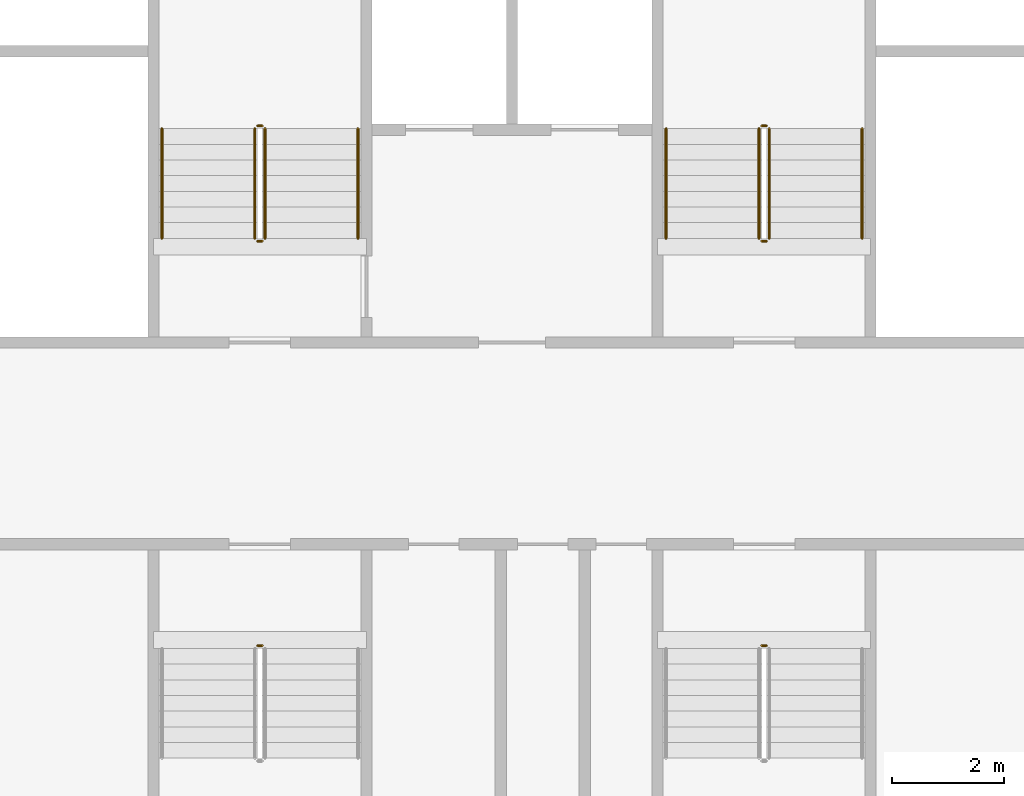
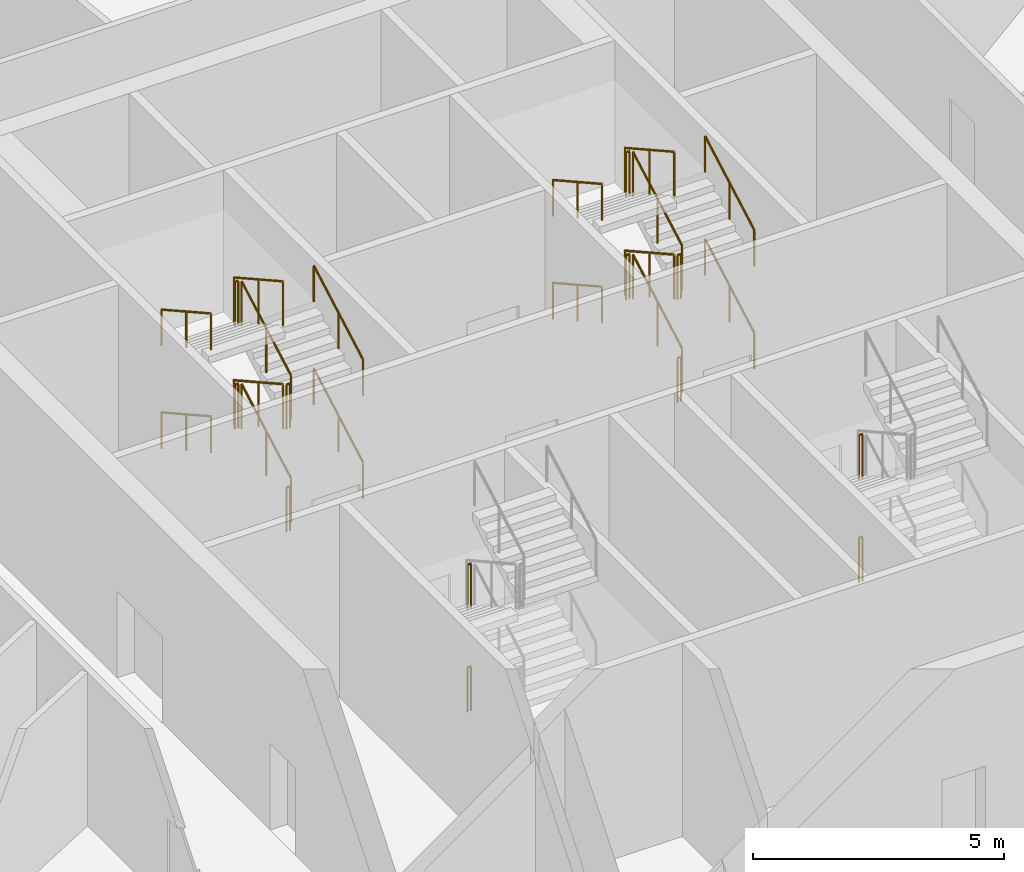
# One storey, part 16 of 21: 28 railings.
"""IFC4 building model written with IfcOpenShell, lengths in metres."""

from ifc_helpers import new_model, si_unit, direction, frame, origin, origin_2d, place, context, subcontext, project, spatial, circle, extrude, material, type_object, element, save


model = new_model("IFC4")

# Units and contexts
model_context = context("Model", 3, precision=1e-05, world=origin(), true_north=direction((0.0, 1.0)))
body_context = subcontext(model_context, "Body", "Model", "MODEL_VIEW")
ifc_project = project(units=[si_unit("LENGTHUNIT", "METRE"), si_unit("AREAUNIT", "SQUARE_METRE"), si_unit("VOLUMEUNIT", "CUBIC_METRE"), si_unit("PLANEANGLEUNIT", "RADIAN"), si_unit("MASSUNIT", "GRAM", prefix="KILO")], contexts=[model_context])

# Site, building, storey
site_placement = place(None, origin())
site = spatial("IfcSite", under=ifc_project, at=site_placement, CompositionType="ELEMENT")
building_placement = place(site_placement, origin())
building = spatial("IfcBuilding", under=site, at=building_placement, Name="Tarsis Ring Headquarters", CompositionType="ELEMENT")
storey_placement = place(building_placement, frame((0.0, 0.0, 398.60009765625)))
storey = spatial("IfcBuildingStorey", under=building, at=storey_placement, Name="L94", CompositionType="ELEMENT", Elevation=398.60009765625)

# Railings
ifc_material = material(Name="Steel S355", Category="steel")
railing_type_1 = type_object("IfcRailingType", Name="Core stair guard 1100", PredefinedType="GUARDRAIL", material=ifc_material)
railing_1_placement = place(storey_placement, frame((-4.409912109375, 3.659912109375, 0.15625)))
element("IfcRailing", 1, at=railing_1_placement, inside=storey, type_object=railing_type_1, Name="L94 ST1 stair guard 1", PredefinedType="GUARDRAIL", context=body_context, shape_type="SweptSolid", body=[
    extrude(circle(Radius=0.02392578125, at=origin_2d()), frame((0.0, 0.0, 1.076171875), z_axis=(0.0, 0.873257974695, 0.487258155017), x_axis=(-1.0, 0.0, 0.0)), (0.0, 0.0, 1.0), 2.24462890625),
    extrude(circle(Radius=0.02099609375, at=origin_2d()), origin(), (0.0, 0.0, 1.0), 1.052001953125),
    extrude(circle(Radius=0.02099609375, at=origin_2d()), frame((0.0, 0.97998046875, 0.546875)), (0.0, 0.0, 1.0), 1.052001953125),
    extrude(circle(Radius=0.02099609375, at=origin_2d()), frame((0.0, 1.960205078125, 1.09375)), (0.0, 0.0, 1.0), 1.052001953125),
])
railing_2_placement = place(storey_placement, frame((-4.4599609375, 5.669921875, 1.25)))
element("IfcRailing", 2, at=railing_2_placement, inside=storey, type_object=railing_type_1, Name="L94 ST1 stair guard 2", PredefinedType="GUARDRAIL", context=body_context, shape_type="SweptSolid", body=[
    extrude(circle(Radius=0.02392578125, at=origin_2d()), frame((0.0, 0.0, 1.076171875), z_axis=(-1.0, 0.0, 0.0), x_axis=(0.0, -1.0, 0.0)), (0.0, 0.0, 1.0), 0.080078125),
    extrude(circle(Radius=0.02099609375, at=origin_2d()), origin(), (0.0, 0.0, 1.0), 1.052001953125),
    extrude(circle(Radius=0.02099609375, at=origin_2d()), frame((-0.080078125, 0.0, 0.0)), (0.0, 0.0, 1.0), 1.052001953125),
])
railing_3_placement = place(storey_placement, frame((-4.590087890625, 5.6201171875, 1.40625)))
element("IfcRailing", 3, at=railing_3_placement, inside=storey, type_object=railing_type_1, Name="L94 ST1 stair guard 3", PredefinedType="GUARDRAIL", context=body_context, shape_type="SweptSolid", body=[
    extrude(circle(Radius=0.02392578125, at=origin_2d()), frame((0.0, 0.0, 1.076171875), z_axis=(0.0, -0.873257974695, 0.487258155017), x_axis=(1.0, 0.0, 0.0)), (0.0, 0.0, 1.0), 2.24462890625),
    extrude(circle(Radius=0.02099609375, at=origin_2d()), origin(), (0.0, 0.0, 1.0), 1.052001953125),
    extrude(circle(Radius=0.02099609375, at=origin_2d()), frame((0.0, -0.97998046875, 0.546875)), (0.0, 0.0, 1.0), 1.052001953125),
    extrude(circle(Radius=0.02099609375, at=origin_2d()), frame((0.0, -1.960205078125, 1.09375)), (0.0, 0.0, 1.0), 1.052001953125),
])
railing_4_placement = place(storey_placement, frame((-4.4599609375, 3.610107421875, 2.5)))
element("IfcRailing", 4, at=railing_4_placement, inside=storey, type_object=railing_type_1, Name="L94 ST1 stair guard 4", PredefinedType="GUARDRAIL", context=body_context, shape_type="SweptSolid", body=[
    extrude(circle(Radius=0.02392578125, at=origin_2d()), frame((0.0, 0.0, 1.076171875), z_axis=(-1.0, 0.0, 0.0), x_axis=(0.0, -1.0, 0.0)), (0.0, 0.0, 1.0), 0.080078125),
    extrude(circle(Radius=0.02099609375, at=origin_2d()), origin(), (0.0, 0.0, 1.0), 1.052001953125),
    extrude(circle(Radius=0.02099609375, at=origin_2d()), frame((-0.080078125, 0.0, 0.0)), (0.0, 0.0, 1.0), 1.052001953125),
])
railing_5_placement = place(storey_placement, frame((-4.409912109375, 3.659912109375, 2.65625)))
element("IfcRailing", 5, at=railing_5_placement, inside=storey, type_object=railing_type_1, Name="L94 ST1 stair guard 5", PredefinedType="GUARDRAIL", context=body_context, shape_type="SweptSolid", body=[
    extrude(circle(Radius=0.02392578125, at=origin_2d()), frame((0.0, 0.0, 1.076171875), z_axis=(0.0, 0.873257974695, 0.487258155017), x_axis=(-1.0, 0.0, 0.0)), (0.0, 0.0, 1.0), 2.24462890625),
    extrude(circle(Radius=0.02099609375, at=origin_2d()), origin(), (0.0, 0.0, 1.0), 1.052001953125),
    extrude(circle(Radius=0.02099609375, at=origin_2d()), frame((0.0, 0.97998046875, 0.546875)), (0.0, 0.0, 1.0), 1.052001953125),
    extrude(circle(Radius=0.02099609375, at=origin_2d()), frame((0.0, 1.960205078125, 1.09375)), (0.0, 0.0, 1.0), 1.052001953125),
])
railing_6_placement = place(storey_placement, frame((-4.4599609375, 5.669921875, 3.75)))
element("IfcRailing", 6, at=railing_6_placement, inside=storey, type_object=railing_type_1, Name="L94 ST1 stair guard 6", PredefinedType="GUARDRAIL", context=body_context, shape_type="SweptSolid", body=[
    extrude(circle(Radius=0.02392578125, at=origin_2d()), frame((0.0, 0.0, 1.076171875), z_axis=(-1.0, 0.0, 0.0), x_axis=(0.0, -1.0, 0.0)), (0.0, 0.0, 1.0), 0.080078125),
    extrude(circle(Radius=0.02099609375, at=origin_2d()), origin(), (0.0, 0.0, 1.0), 1.052001953125),
    extrude(circle(Radius=0.02099609375, at=origin_2d()), frame((-0.080078125, 0.0, 0.0)), (0.0, 0.0, 1.0), 1.052001953125),
])
railing_7_placement = place(storey_placement, frame((-4.590087890625, 5.6201171875, 3.90625)))
element("IfcRailing", 7, at=railing_7_placement, inside=storey, type_object=railing_type_1, Name="L94 ST1 stair guard 7", PredefinedType="GUARDRAIL", context=body_context, shape_type="SweptSolid", body=[
    extrude(circle(Radius=0.02392578125, at=origin_2d()), frame((0.0, 0.0, 1.076171875), z_axis=(0.0, -0.873257974695, 0.487258155017), x_axis=(1.0, 0.0, 0.0)), (0.0, 0.0, 1.0), 2.24462890625),
    extrude(circle(Radius=0.02099609375, at=origin_2d()), origin(), (0.0, 0.0, 1.0), 1.052001953125),
    extrude(circle(Radius=0.02099609375, at=origin_2d()), frame((0.0, -0.97998046875, 0.546875)), (0.0, 0.0, 1.0), 1.052001953125),
    extrude(circle(Radius=0.02099609375, at=origin_2d()), frame((0.0, -1.960205078125, 1.09375)), (0.0, 0.0, 1.0), 1.052001953125),
])
railing_8_placement = place(storey_placement, frame((-4.4599609375, 3.610107421875, 0.0)))
element("IfcRailing", 8, at=railing_8_placement, inside=storey, type_object=railing_type_1, Name="L94 ST1 stair guard 8", PredefinedType="GUARDRAIL", context=body_context, shape_type="SweptSolid", body=[
    extrude(circle(Radius=0.02392578125, at=origin_2d()), frame((0.0, 0.0, 1.076171875), z_axis=(-1.0, 0.0, 0.0), x_axis=(0.0, -1.0, 0.0)), (0.0, 0.0, 1.0), 0.080078125),
    extrude(circle(Radius=0.02099609375, at=origin_2d()), origin(), (0.0, 0.0, 1.0), 1.052001953125),
    extrude(circle(Radius=0.02099609375, at=origin_2d()), frame((-0.080078125, 0.0, 0.0)), (0.0, 0.0, 1.0), 1.052001953125),
])
railing_9_placement = place(storey_placement, frame((4.590087890625, 3.659912109375, 0.15625)))
element("IfcRailing", 9, at=railing_9_placement, inside=storey, type_object=railing_type_1, Name="L94 ST2 stair guard 1", PredefinedType="GUARDRAIL", context=body_context, shape_type="SweptSolid", body=[
    extrude(circle(Radius=0.02392578125, at=origin_2d()), frame((0.0, 0.0, 1.076171875), z_axis=(0.0, 0.873257974695, 0.487258155017), x_axis=(-1.0, 0.0, 0.0)), (0.0, 0.0, 1.0), 2.24462890625),
    extrude(circle(Radius=0.02099609375, at=origin_2d()), origin(), (0.0, 0.0, 1.0), 1.052001953125),
    extrude(circle(Radius=0.02099609375, at=origin_2d()), frame((0.0, 0.97998046875, 0.546875)), (0.0, 0.0, 1.0), 1.052001953125),
    extrude(circle(Radius=0.02099609375, at=origin_2d()), frame((0.0, 1.960205078125, 1.09375)), (0.0, 0.0, 1.0), 1.052001953125),
])
railing_10_placement = place(storey_placement, frame((4.5400390625, 5.669921875, 1.25)))
element("IfcRailing", 10, at=railing_10_placement, inside=storey, type_object=railing_type_1, Name="L94 ST2 stair guard 2", PredefinedType="GUARDRAIL", context=body_context, shape_type="SweptSolid", body=[
    extrude(circle(Radius=0.02392578125, at=origin_2d()), frame((0.0, 0.0, 1.076171875), z_axis=(-1.0, 0.0, 0.0), x_axis=(0.0, -1.0, 0.0)), (0.0, 0.0, 1.0), 0.080078125),
    extrude(circle(Radius=0.02099609375, at=origin_2d()), origin(), (0.0, 0.0, 1.0), 1.052001953125),
    extrude(circle(Radius=0.02099609375, at=origin_2d()), frame((-0.080078125, 0.0, 0.0)), (0.0, 0.0, 1.0), 1.052001953125),
])
railing_11_placement = place(storey_placement, frame((4.409912109375, 5.6201171875, 1.40625)))
element("IfcRailing", 11, at=railing_11_placement, inside=storey, type_object=railing_type_1, Name="L94 ST2 stair guard 3", PredefinedType="GUARDRAIL", context=body_context, shape_type="SweptSolid", body=[
    extrude(circle(Radius=0.02392578125, at=origin_2d()), frame((0.0, 0.0, 1.076171875), z_axis=(0.0, -0.873257974695, 0.487258155017), x_axis=(1.0, 0.0, 0.0)), (0.0, 0.0, 1.0), 2.24462890625),
    extrude(circle(Radius=0.02099609375, at=origin_2d()), origin(), (0.0, 0.0, 1.0), 1.052001953125),
    extrude(circle(Radius=0.02099609375, at=origin_2d()), frame((0.0, -0.97998046875, 0.546875)), (0.0, 0.0, 1.0), 1.052001953125),
    extrude(circle(Radius=0.02099609375, at=origin_2d()), frame((0.0, -1.960205078125, 1.09375)), (0.0, 0.0, 1.0), 1.052001953125),
])
railing_12_placement = place(storey_placement, frame((4.5400390625, 3.610107421875, 2.5)))
element("IfcRailing", 12, at=railing_12_placement, inside=storey, type_object=railing_type_1, Name="L94 ST2 stair guard 4", PredefinedType="GUARDRAIL", context=body_context, shape_type="SweptSolid", body=[
    extrude(circle(Radius=0.02392578125, at=origin_2d()), frame((0.0, 0.0, 1.076171875), z_axis=(-1.0, 0.0, 0.0), x_axis=(0.0, -1.0, 0.0)), (0.0, 0.0, 1.0), 0.080078125),
    extrude(circle(Radius=0.02099609375, at=origin_2d()), origin(), (0.0, 0.0, 1.0), 1.052001953125),
    extrude(circle(Radius=0.02099609375, at=origin_2d()), frame((-0.080078125, 0.0, 0.0)), (0.0, 0.0, 1.0), 1.052001953125),
])
railing_13_placement = place(storey_placement, frame((4.590087890625, 3.659912109375, 2.65625)))
element("IfcRailing", 13, at=railing_13_placement, inside=storey, type_object=railing_type_1, Name="L94 ST2 stair guard 5", PredefinedType="GUARDRAIL", context=body_context, shape_type="SweptSolid", body=[
    extrude(circle(Radius=0.02392578125, at=origin_2d()), frame((0.0, 0.0, 1.076171875), z_axis=(0.0, 0.873257974695, 0.487258155017), x_axis=(-1.0, 0.0, 0.0)), (0.0, 0.0, 1.0), 2.24462890625),
    extrude(circle(Radius=0.02099609375, at=origin_2d()), origin(), (0.0, 0.0, 1.0), 1.052001953125),
    extrude(circle(Radius=0.02099609375, at=origin_2d()), frame((0.0, 0.97998046875, 0.546875)), (0.0, 0.0, 1.0), 1.052001953125),
    extrude(circle(Radius=0.02099609375, at=origin_2d()), frame((0.0, 1.960205078125, 1.09375)), (0.0, 0.0, 1.0), 1.052001953125),
])
railing_14_placement = place(storey_placement, frame((4.5400390625, 5.669921875, 3.75)))
element("IfcRailing", 14, at=railing_14_placement, inside=storey, type_object=railing_type_1, Name="L94 ST2 stair guard 6", PredefinedType="GUARDRAIL", context=body_context, shape_type="SweptSolid", body=[
    extrude(circle(Radius=0.02392578125, at=origin_2d()), frame((0.0, 0.0, 1.076171875), z_axis=(-1.0, 0.0, 0.0), x_axis=(0.0, -1.0, 0.0)), (0.0, 0.0, 1.0), 0.080078125),
    extrude(circle(Radius=0.02099609375, at=origin_2d()), origin(), (0.0, 0.0, 1.0), 1.052001953125),
    extrude(circle(Radius=0.02099609375, at=origin_2d()), frame((-0.080078125, 0.0, 0.0)), (0.0, 0.0, 1.0), 1.052001953125),
])
railing_15_placement = place(storey_placement, frame((4.409912109375, 5.6201171875, 3.90625)))
element("IfcRailing", 15, at=railing_15_placement, inside=storey, type_object=railing_type_1, Name="L94 ST2 stair guard 7", PredefinedType="GUARDRAIL", context=body_context, shape_type="SweptSolid", body=[
    extrude(circle(Radius=0.02392578125, at=origin_2d()), frame((0.0, 0.0, 1.076171875), z_axis=(0.0, -0.873257974695, 0.487258155017), x_axis=(1.0, 0.0, 0.0)), (0.0, 0.0, 1.0), 2.24462890625),
    extrude(circle(Radius=0.02099609375, at=origin_2d()), origin(), (0.0, 0.0, 1.0), 1.052001953125),
    extrude(circle(Radius=0.02099609375, at=origin_2d()), frame((0.0, -0.97998046875, 0.546875)), (0.0, 0.0, 1.0), 1.052001953125),
    extrude(circle(Radius=0.02099609375, at=origin_2d()), frame((0.0, -1.960205078125, 1.09375)), (0.0, 0.0, 1.0), 1.052001953125),
])
railing_16_placement = place(storey_placement, frame((4.5400390625, 3.610107421875, 0.0)))
element("IfcRailing", 16, at=railing_16_placement, inside=storey, type_object=railing_type_1, Name="L94 ST2 stair guard 8", PredefinedType="GUARDRAIL", context=body_context, shape_type="SweptSolid", body=[
    extrude(circle(Radius=0.02392578125, at=origin_2d()), frame((0.0, 0.0, 1.076171875), z_axis=(-1.0, 0.0, 0.0), x_axis=(0.0, -1.0, 0.0)), (0.0, 0.0, 1.0), 0.080078125),
    extrude(circle(Radius=0.02099609375, at=origin_2d()), origin(), (0.0, 0.0, 1.0), 1.052001953125),
    extrude(circle(Radius=0.02099609375, at=origin_2d()), frame((-0.080078125, 0.0, 0.0)), (0.0, 0.0, 1.0), 1.052001953125),
])
for number, where, name in (
    (17, (-4.5400390625, -3.610107421875, 2.5), "L94 ST3 stair guard 4"),
    (18, (-4.5400390625, -3.610107421875, 0.0), "L94 ST3 stair guard 8"),
    (19, (4.4599609375, -3.610107421875, 2.5), "L94 ST4 stair guard 4"),
    (20, (4.4599609375, -3.610107421875, 0.0), "L94 ST4 stair guard 8"),
):
    element("IfcRailing", number, at=place(storey_placement, frame(where)), inside=storey, type_object=railing_type_1, Name=name, PredefinedType="GUARDRAIL", context=body_context, shape_type="SweptSolid", body=[
        extrude(circle(Radius=0.02392578125, at=origin_2d()), frame((0.0, 0.0, 1.076171875), z_axis=(1.0, 0.0, 0.0), x_axis=(0.0, 1.0, 0.0)), (0.0, 0.0, 1.0), 0.080078125),
        extrude(circle(Radius=0.02099609375, at=origin_2d()), origin(), (0.0, 0.0, 1.0), 1.052001953125),
        extrude(circle(Radius=0.02099609375, at=origin_2d()), frame((0.080078125, 0.0, 0.0)), (0.0, 0.0, 1.0), 1.052001953125),
    ])
railing_type_2 = type_object("IfcRailingType", Name="Core stair handrail 900", PredefinedType="HANDRAIL", material=ifc_material)
railing_17_placement = place(storey_placement, frame((-2.75, 3.659912109375, 0.15625)))
element("IfcRailing", 21, at=railing_17_placement, inside=storey, type_object=railing_type_2, Name="L94 ST1 stair handrail 1", PredefinedType="HANDRAIL", context=body_context, shape_type="SweptSolid", body=[
    extrude(circle(Radius=0.02392578125, at=origin_2d()), frame((0.0, 0.0, 0.8759765625), z_axis=(0.0, 0.873257974695, 0.487258155017), x_axis=(-1.0, 0.0, 0.0)), (0.0, 0.0, 1.0), 2.24462890625),
    extrude(circle(Radius=0.02099609375, at=origin_2d()), origin(), (0.0, 0.0, 1.0), 0.851806640625),
    extrude(circle(Radius=0.02099609375, at=origin_2d()), frame((0.0, 0.97998046875, 0.546875)), (0.0, 0.0, 1.0), 0.851806640625),
    extrude(circle(Radius=0.02099609375, at=origin_2d()), frame((0.0, 1.960205078125, 1.09375)), (0.0, 0.0, 1.0), 0.851806640625),
])
railing_18_placement = place(storey_placement, frame((-6.25, 5.6201171875, 1.40625)))
element("IfcRailing", 22, at=railing_18_placement, inside=storey, type_object=railing_type_2, Name="L94 ST1 stair handrail 2", PredefinedType="HANDRAIL", context=body_context, shape_type="SweptSolid", body=[
    extrude(circle(Radius=0.02392578125, at=origin_2d()), frame((0.0, 0.0, 0.8759765625), z_axis=(0.0, -0.873257974695, 0.487258155017), x_axis=(1.0, 0.0, 0.0)), (0.0, 0.0, 1.0), 2.24462890625),
    extrude(circle(Radius=0.02099609375, at=origin_2d()), origin(), (0.0, 0.0, 1.0), 0.851806640625),
    extrude(circle(Radius=0.02099609375, at=origin_2d()), frame((0.0, -0.97998046875, 0.546875)), (0.0, 0.0, 1.0), 0.851806640625),
    extrude(circle(Radius=0.02099609375, at=origin_2d()), frame((0.0, -1.960205078125, 1.09375)), (0.0, 0.0, 1.0), 0.851806640625),
])
railing_19_placement = place(storey_placement, frame((-2.75, 3.659912109375, 2.65625)))
element("IfcRailing", 23, at=railing_19_placement, inside=storey, type_object=railing_type_2, Name="L94 ST1 stair handrail 3", PredefinedType="HANDRAIL", context=body_context, shape_type="SweptSolid", body=[
    extrude(circle(Radius=0.02392578125, at=origin_2d()), frame((0.0, 0.0, 0.8759765625), z_axis=(0.0, 0.873257974695, 0.487258155017), x_axis=(-1.0, 0.0, 0.0)), (0.0, 0.0, 1.0), 2.24462890625),
    extrude(circle(Radius=0.02099609375, at=origin_2d()), origin(), (0.0, 0.0, 1.0), 0.851806640625),
    extrude(circle(Radius=0.02099609375, at=origin_2d()), frame((0.0, 0.97998046875, 0.546875)), (0.0, 0.0, 1.0), 0.851806640625),
    extrude(circle(Radius=0.02099609375, at=origin_2d()), frame((0.0, 1.960205078125, 1.09375)), (0.0, 0.0, 1.0), 0.851806640625),
])
railing_20_placement = place(storey_placement, frame((-6.25, 5.6201171875, 3.90625)))
element("IfcRailing", 24, at=railing_20_placement, inside=storey, type_object=railing_type_2, Name="L94 ST1 stair handrail 4", PredefinedType="HANDRAIL", context=body_context, shape_type="SweptSolid", body=[
    extrude(circle(Radius=0.02392578125, at=origin_2d()), frame((0.0, 0.0, 0.8759765625), z_axis=(0.0, -0.873257974695, 0.487258155017), x_axis=(1.0, 0.0, 0.0)), (0.0, 0.0, 1.0), 2.24462890625),
    extrude(circle(Radius=0.02099609375, at=origin_2d()), origin(), (0.0, 0.0, 1.0), 0.851806640625),
    extrude(circle(Radius=0.02099609375, at=origin_2d()), frame((0.0, -0.97998046875, 0.546875)), (0.0, 0.0, 1.0), 0.851806640625),
    extrude(circle(Radius=0.02099609375, at=origin_2d()), frame((0.0, -1.960205078125, 1.09375)), (0.0, 0.0, 1.0), 0.851806640625),
])
railing_21_placement = place(storey_placement, frame((6.25, 3.659912109375, 0.15625)))
element("IfcRailing", 25, at=railing_21_placement, inside=storey, type_object=railing_type_2, Name="L94 ST2 stair handrail 1", PredefinedType="HANDRAIL", context=body_context, shape_type="SweptSolid", body=[
    extrude(circle(Radius=0.02392578125, at=origin_2d()), frame((0.0, 0.0, 0.8759765625), z_axis=(0.0, 0.873257974695, 0.487258155017), x_axis=(-1.0, 0.0, 0.0)), (0.0, 0.0, 1.0), 2.24462890625),
    extrude(circle(Radius=0.02099609375, at=origin_2d()), origin(), (0.0, 0.0, 1.0), 0.851806640625),
    extrude(circle(Radius=0.02099609375, at=origin_2d()), frame((0.0, 0.97998046875, 0.546875)), (0.0, 0.0, 1.0), 0.851806640625),
    extrude(circle(Radius=0.02099609375, at=origin_2d()), frame((0.0, 1.960205078125, 1.09375)), (0.0, 0.0, 1.0), 0.851806640625),
])
railing_22_placement = place(storey_placement, frame((2.75, 5.6201171875, 1.40625)))
element("IfcRailing", 26, at=railing_22_placement, inside=storey, type_object=railing_type_2, Name="L94 ST2 stair handrail 2", PredefinedType="HANDRAIL", context=body_context, shape_type="SweptSolid", body=[
    extrude(circle(Radius=0.02392578125, at=origin_2d()), frame((0.0, 0.0, 0.8759765625), z_axis=(0.0, -0.873257974695, 0.487258155017), x_axis=(1.0, 0.0, 0.0)), (0.0, 0.0, 1.0), 2.24462890625),
    extrude(circle(Radius=0.02099609375, at=origin_2d()), origin(), (0.0, 0.0, 1.0), 0.851806640625),
    extrude(circle(Radius=0.02099609375, at=origin_2d()), frame((0.0, -0.97998046875, 0.546875)), (0.0, 0.0, 1.0), 0.851806640625),
    extrude(circle(Radius=0.02099609375, at=origin_2d()), frame((0.0, -1.960205078125, 1.09375)), (0.0, 0.0, 1.0), 0.851806640625),
])
railing_23_placement = place(storey_placement, frame((6.25, 3.659912109375, 2.65625)))
element("IfcRailing", 27, at=railing_23_placement, inside=storey, type_object=railing_type_2, Name="L94 ST2 stair handrail 3", PredefinedType="HANDRAIL", context=body_context, shape_type="SweptSolid", body=[
    extrude(circle(Radius=0.02392578125, at=origin_2d()), frame((0.0, 0.0, 0.8759765625), z_axis=(0.0, 0.873257974695, 0.487258155017), x_axis=(-1.0, 0.0, 0.0)), (0.0, 0.0, 1.0), 2.24462890625),
    extrude(circle(Radius=0.02099609375, at=origin_2d()), origin(), (0.0, 0.0, 1.0), 0.851806640625),
    extrude(circle(Radius=0.02099609375, at=origin_2d()), frame((0.0, 0.97998046875, 0.546875)), (0.0, 0.0, 1.0), 0.851806640625),
    extrude(circle(Radius=0.02099609375, at=origin_2d()), frame((0.0, 1.960205078125, 1.09375)), (0.0, 0.0, 1.0), 0.851806640625),
])
railing_24_placement = place(storey_placement, frame((2.75, 5.6201171875, 3.90625)))
element("IfcRailing", 28, at=railing_24_placement, inside=storey, type_object=railing_type_2, Name="L94 ST2 stair handrail 4", PredefinedType="HANDRAIL", context=body_context, shape_type="SweptSolid", body=[
    extrude(circle(Radius=0.02392578125, at=origin_2d()), frame((0.0, 0.0, 0.8759765625), z_axis=(0.0, -0.873257974695, 0.487258155017), x_axis=(1.0, 0.0, 0.0)), (0.0, 0.0, 1.0), 2.24462890625),
    extrude(circle(Radius=0.02099609375, at=origin_2d()), origin(), (0.0, 0.0, 1.0), 0.851806640625),
    extrude(circle(Radius=0.02099609375, at=origin_2d()), frame((0.0, -0.97998046875, 0.546875)), (0.0, 0.0, 1.0), 0.851806640625),
    extrude(circle(Radius=0.02099609375, at=origin_2d()), frame((0.0, -1.960205078125, 1.09375)), (0.0, 0.0, 1.0), 0.851806640625),
])

save(model, "model.ifc")
